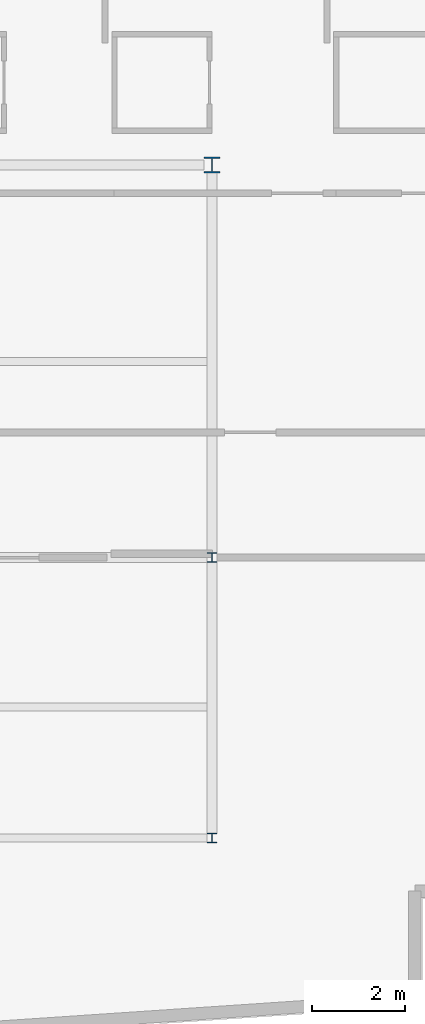
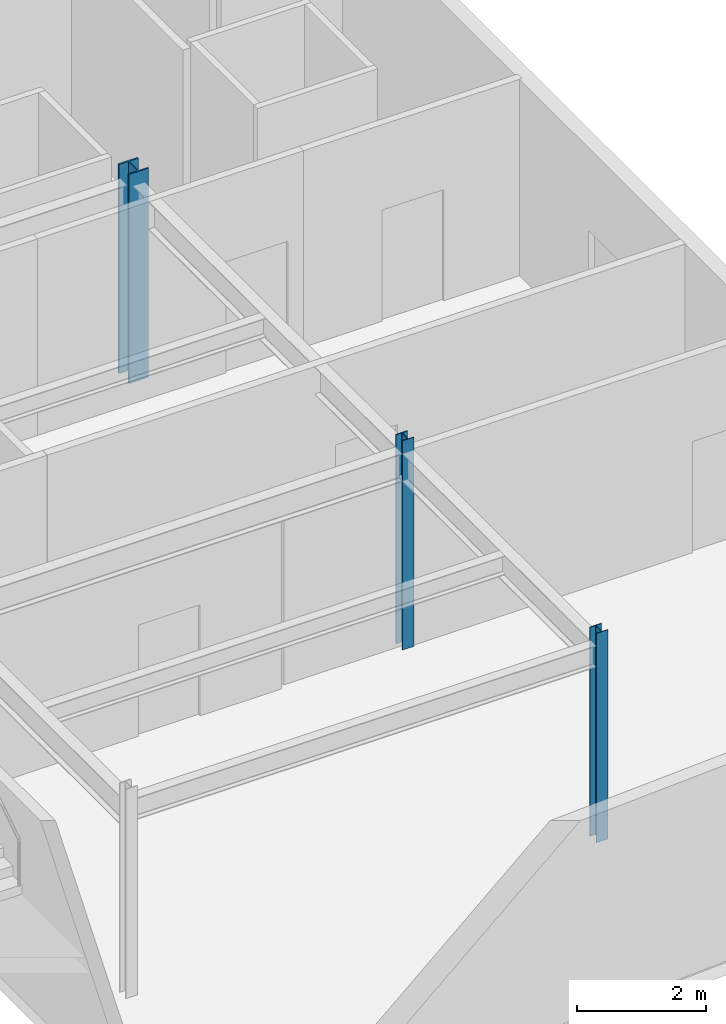
# One storey, part 3 of 16: 3 columns.
"""IFC4 building model written with IfcOpenShell, lengths in metres."""

import ifcopenshell
import ifcopenshell.guid

model = None  # the IFC model being written
_history = None  # IfcOwnerHistory: only IFC2X3 demands one
_inside = {}  # id of a spatial element -> (the spatial element, [elements in it])
_under = {}  # id of a project, library or spatial element -> (it, [spatial elements below it])
_declared = {}  # id of a project -> (the project, [libraries it declares])
_typed = {}  # id of a type object -> (the type object, [elements of that type])
_made_of = {}  # id of a material, layer set ... -> (it, [elements and type objects made of it])


def new_model(schema):
    """Start an empty IFC model of exactly this schema.

    Asked for "IFC4X3", IfcOpenShell would pick the latest addendum, in which some entities
    have other attributes; the version numbers below select the first issue.
    IFC2X3 requires an IfcOwnerHistory on every rooted entity: one is made here for all.
    """
    global model, _history
    if schema == "IFC4X3":
        model = ifcopenshell.file(schema_version=(4, 3, 0, 0))
    else:
        model = ifcopenshell.file(schema=schema)
    _inside.clear()
    _under.clear()
    _declared.clear()
    _typed.clear()
    _made_of.clear()
    _history = None
    if model.schema == "IFC2X3":
        org = make("IfcOrganization", Name="unknown")
        user = make(
            "IfcPersonAndOrganization",
            ThePerson=make("IfcPerson", FamilyName="unknown"),
            TheOrganization=org,
        )
        app = make(
            "IfcApplication",
            ApplicationDeveloper=org,
            Version="unknown",
            ApplicationFullName="unknown",
            ApplicationIdentifier="unknown",
        )
        _history = make(
            "IfcOwnerHistory",
            OwningUser=user,
            OwningApplication=app,
            ChangeAction="ADDED",
            CreationDate=0,
        )
    return model


def make(cls, **values):
    """One entity of the class cls with the attributes given. An attribute that is None is left unset."""
    return model.create_entity(
        cls, **{name: value for name, value in values.items() if value is not None}
    )


def rooted(cls, **values):
    """An entity with a GlobalId (a new one), such as an element, a storey or a relation."""
    return make(cls, GlobalId=ifcopenshell.guid.new(), OwnerHistory=_history, **values)


def si_unit(unit_type, name, prefix=None):
    """IfcSIUnit, for example si_unit("LENGTHUNIT", "METRE", prefix="MILLI")."""
    return make("IfcSIUnit", UnitType=unit_type, Prefix=prefix, Name=name)


def assignment(units):
    """IfcUnitAssignment: the units of a project."""
    return None if units is None else make("IfcUnitAssignment", Units=units)


def point(xyz):
    """IfcCartesianPoint."""
    return None if xyz is None else make("IfcCartesianPoint", Coordinates=xyz)


def direction(xyz):
    """IfcDirection."""
    return None if xyz is None else make("IfcDirection", DirectionRatios=xyz)


def frame(location, z_axis=None, x_axis=None):
    """IfcAxis2Placement3D, a coordinate frame: its origin and axes. An axis left out is left unset."""
    return make(
        "IfcAxis2Placement3D",
        Location=point(location),
        Axis=direction(z_axis),
        RefDirection=direction(x_axis),
    )


def frame_2d(location, x_axis=None):
    """IfcAxis2Placement2D, a coordinate frame in the plane: its origin and x axis."""
    return make(
        "IfcAxis2Placement2D", Location=point(location), RefDirection=direction(x_axis)
    )


def origin():
    """The frame at (0, 0, 0) with its axes left unset."""
    return frame((0.0, 0.0, 0.0))


def origin_2d():
    """The frame at (0, 0) in the plane with its x axis left unset."""
    return frame_2d((0.0, 0.0))


def place(relative_to, where):
    """IfcLocalPlacement: puts the frame where relative to a parent placement (None: the world)."""
    return make(
        "IfcLocalPlacement", PlacementRelTo=relative_to, RelativePlacement=where
    )


def context(
    kind, dimensions, precision=None, world=None, true_north=None, identifier=None
):
    """IfcGeometricRepresentationContext, for example the 3D "Model" context."""
    return make(
        "IfcGeometricRepresentationContext",
        ContextIdentifier=identifier,
        ContextType=kind,
        CoordinateSpaceDimension=dimensions,
        Precision=precision,
        WorldCoordinateSystem=world,
        TrueNorth=true_north,
    )


def subcontext(parent, identifier, kind, view, scale=None):
    """IfcGeometricRepresentationSubContext, for example "Body" below "Model"."""
    return make(
        "IfcGeometricRepresentationSubContext",
        ContextIdentifier=identifier,
        ContextType=kind,
        ParentContext=parent,
        TargetScale=scale,
        TargetView=view,
    )


def project(units=None, contexts=None):
    """IfcProject with its units and contexts."""
    return rooted(
        "IfcProject",
        Name="project",
        RepresentationContexts=contexts,
        UnitsInContext=assignment(units),
    )


def spatial(cls, under=None, at=None, **own):
    """A site, building, storey or space (cls), placed at a placement, below another one or the project."""
    s = rooted(cls, ObjectPlacement=at, **own)
    if under is not None:
        _under.setdefault(under.id(), (under, []))[1].append(s)
    return s


def profile(cls, at=None, kind="AREA", **sizes):
    """A parametric profile (cls). Its sizes go by their IFC names, for example OverallWidth=200.0."""
    return make(cls, ProfileType=kind, Position=at, **sizes)


def i_section(**sizes):
    """IfcIShapeProfileDef."""
    return profile("IfcIShapeProfileDef", **sizes)


def extrude(swept, where, along, depth):
    """IfcExtrudedAreaSolid: the profile swept, set in the frame where, extruded along a direction by depth."""
    return make(
        "IfcExtrudedAreaSolid",
        SweptArea=swept,
        Position=where,
        ExtrudedDirection=direction(along),
        Depth=depth,
    )


def shape(context_of_items, identifier, shape_type, items):
    """IfcShapeRepresentation: the items that make up one representation, for example the "Body"."""
    return make(
        "IfcShapeRepresentation",
        ContextOfItems=context_of_items,
        RepresentationIdentifier=identifier,
        RepresentationType=shape_type,
        Items=items,
    )


def material(Name=None, Category=None):
    """IfcMaterial."""
    return make("IfcMaterial", Name=Name, Category=Category)


def material_profile(
    of_material, cross_section, Name=None, Category=None, Priority=None
):
    """IfcMaterialProfile: a cross section and its material."""
    return make(
        "IfcMaterialProfile",
        Name=Name,
        Material=of_material,
        Profile=cross_section,
        Priority=Priority,
        Category=Category,
    )


def profile_set(profiles, Name=None, composite=None):
    """IfcMaterialProfileSet."""
    return make(
        "IfcMaterialProfileSet",
        Name=Name,
        MaterialProfiles=profiles,
        CompositeProfile=composite,
    )


def made_of(thing, what):
    """Note that an element or type object is made of a material, layer set ...; save() writes the relation."""
    if what is not None:
        _made_of.setdefault(what.id(), (what, []))[1].append(thing)
    return thing


def type_object(cls, material=None, **own):
    """A type object (cls), such as IfcWallType, which elements share."""
    return made_of(rooted(cls, **own), material)


def element(
    cls,
    number,
    at=None,
    inside=None,
    cuts=None,
    type_object=None,
    material=None,
    context=None,
    identifier="Body",
    shape_type=None,
    held_by="IfcProductDefinitionShape",
    body=None,
    shapes=None,
    **own,
):
    """One element of the class cls, such as IfcWall. Its Tag is "e" and its number.

    at: its placement. inside: the storey or other place that contains it. cuts: it is an
    opening in that element (IfcRelVoidsElement). A single representation is given by context,
    identifier, shape_type and body (its items); several are given by shapes. held_by: the class
    of the entity that holds the representations. save() writes the other relations.
    """
    e = rooted(cls, Tag="e%d" % number, ObjectPlacement=at, **own)
    if body is not None:
        shapes = [shape(context, identifier, shape_type, body)]
    if shapes is not None:
        e.Representation = make(held_by, Representations=shapes)
    if inside is not None:
        _inside.setdefault(inside.id(), (inside, []))[1].append(e)
    if cuts is not None:
        rooted(
            "IfcRelVoidsElement", RelatingBuildingElement=cuts, RelatedOpeningElement=e
        )
    if type_object is not None:
        _typed.setdefault(type_object.id(), (type_object, []))[1].append(e)
    return made_of(e, material)


def aggregate(whole, parts):
    """IfcRelAggregates: a whole, such as a stair, and the parts it consists of."""
    return rooted("IfcRelAggregates", RelatingObject=whole, RelatedObjects=parts)


def save(model, path):
    """Write the relations noted so far, then the file.

    IfcRelAggregates (storeys below a building ...), IfcRelContainedInSpatialStructure (elements
    in a storey), IfcRelDefinesByType, IfcRelAssociatesMaterial and IfcRelDeclares: one each for
    every whole, place, type object, material and project.
    """
    for whole, parts in _under.values():
        aggregate(whole, parts)
    for where, things in _inside.values():
        rooted(
            "IfcRelContainedInSpatialStructure",
            RelatedElements=things,
            RelatingStructure=where,
        )
    for kind, things in _typed.values():
        rooted("IfcRelDefinesByType", RelatedObjects=things, RelatingType=kind)
    for what, things in _made_of.values():
        rooted("IfcRelAssociatesMaterial", RelatedObjects=things, RelatingMaterial=what)
    for by, libraries in _declared.values():
        rooted("IfcRelDeclares", RelatingContext=by, RelatedDefinitions=libraries)
    model.write(path)


model = new_model("IFC4")

# Units and contexts
model_context = context("Model", 3, precision=1e-05, world=origin(), true_north=direction((0.0, 1.0)))
body_context = subcontext(model_context, "Body", "Model", "MODEL_VIEW")
ifc_project = project(units=[si_unit("LENGTHUNIT", "METRE"), si_unit("AREAUNIT", "SQUARE_METRE"), si_unit("VOLUMEUNIT", "CUBIC_METRE"), si_unit("PLANEANGLEUNIT", "RADIAN"), si_unit("MASSUNIT", "GRAM", prefix="KILO")], contexts=[model_context])

# Site, building, storey
site_placement = place(None, origin())
site = spatial("IfcSite", under=ifc_project, at=site_placement, CompositionType="ELEMENT")
building_placement = place(site_placement, origin())
building = spatial("IfcBuilding", under=site, at=building_placement, Name="Varnakote Quay Hospital", CompositionType="ELEMENT")
storey_placement = place(building_placement, frame((0.0, 0.0, 292.10009765625)))
storey = spatial("IfcBuildingStorey", under=building, at=storey_placement, Name="L72", CompositionType="ELEMENT", Elevation=292.10009765625)

# Columns
ifc_material_1 = material(Name="Structural steel AS/NZS 3679.1 Grade 350 L0 (fy 340 MPa)", Category="steel")
ifc_material_profile_1 = material_profile(ifc_material_1, i_section(OverallWidth=0.205078125, OverallDepth=0.2099609375, WebThickness=0.00927734375, FlangeThickness=0.01416015625, FilletRadius=0.011474609375, at=origin_2d()), Name="200UC59.5")
ifc_profile_set_1 = profile_set([ifc_material_profile_1], Name="Structural steel AS/NZS 3679.1 Grade 350 L0 (fy 340 MPa)")
column_type_1 = type_object("IfcColumnType", Name="COL-STL-200UC59-5", PredefinedType="COLUMN", material=ifc_profile_set_1)
for number, where, z_axis, x_axis, name in (
    (1, (33.60009765625, 6.0, 0.0), (0.0, 0.0, 1.0), (1.0, 0.0, 0.0), "L72 Structural Column C-34-6"),
    (2, (33.60009765625, 12.0, 0.0), (0.0, 0.0, 1.0), (1.0, 0.0, 0.0), "L72 Structural Column C-34-12"),
):
    element("IfcColumn", number, at=place(storey_placement, frame(where, z_axis=z_axis, x_axis=x_axis)), inside=storey, type_object=column_type_1, Name=name, PredefinedType="COLUMN", context=body_context, shape_type="SweptSolid", body=[
        extrude(i_section(OverallWidth=0.205078125, OverallDepth=0.2099609375, WebThickness=0.00927734375, FlangeThickness=0.01416015625, FilletRadius=0.011474609375, at=origin_2d()), origin(), (0.0, 0.0, 1.0), 3.949951171875),
    ])
ifc_material_2 = material(Name="Structural steel AS/NZS 3678 Grade 350 (fy 340 MPa)", Category="steel")
ifc_material_profile_2 = material_profile(ifc_material_2, i_section(OverallWidth=0.35009765625, OverallDepth=0.340087890625, WebThickness=0.01611328125, FlangeThickness=0.028076171875, at=origin_2d()), Name="350WC197")
ifc_profile_set_2 = profile_set([ifc_material_profile_2], Name="Structural steel AS/NZS 3678 Grade 350 (fy 340 MPa)")
column_type_2 = type_object("IfcColumnType", Name="COL-STL-350WC197", PredefinedType="COLUMN", material=ifc_profile_set_2)
column_placement = place(storey_placement, frame((33.60009765625, 20.39990234375, 0.0), z_axis=(0.0, 0.0, 1.0), x_axis=(1.0, 0.0, 0.0)))
element("IfcColumn", 3, at=column_placement, inside=storey, type_object=column_type_2, Name="L72 Structural Column C-34-20", PredefinedType="COLUMN", context=body_context, shape_type="SweptSolid", body=[
    extrude(i_section(OverallWidth=0.35009765625, OverallDepth=0.340087890625, WebThickness=0.01611328125, FlangeThickness=0.028076171875, at=origin_2d()), origin(), (0.0, 0.0, 1.0), 3.949951171875),
])

save(model, "model.ifc")
